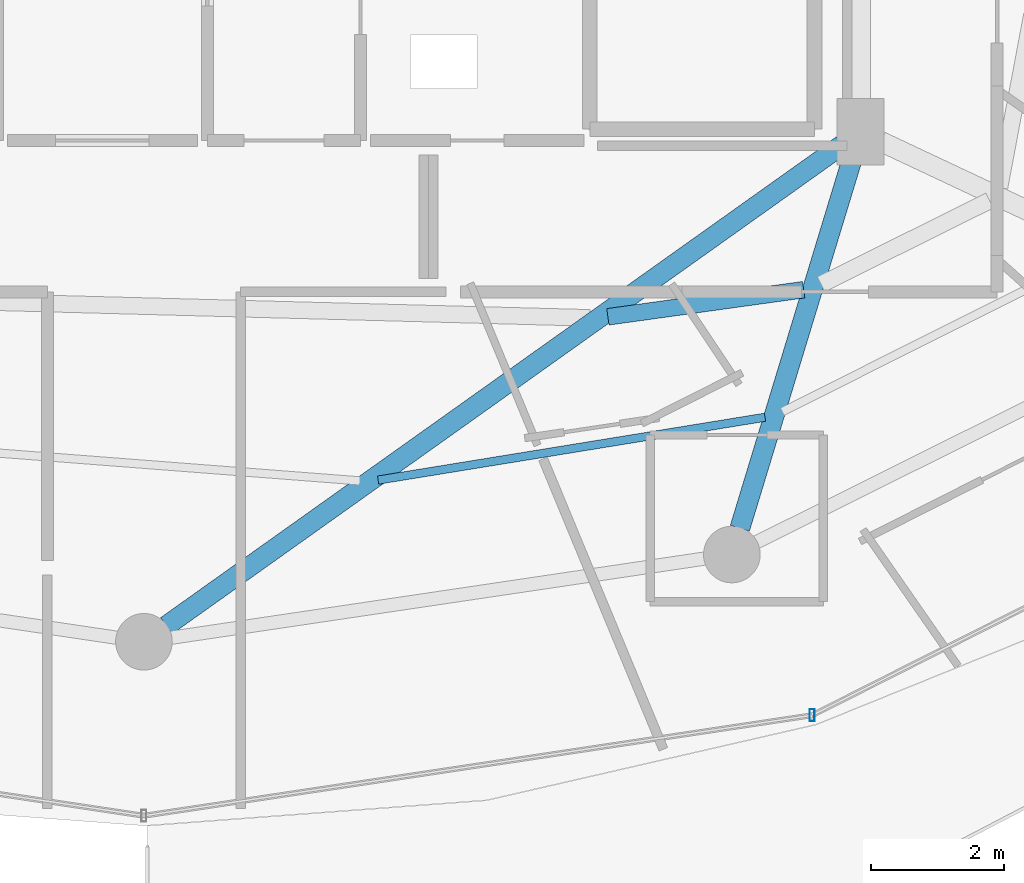
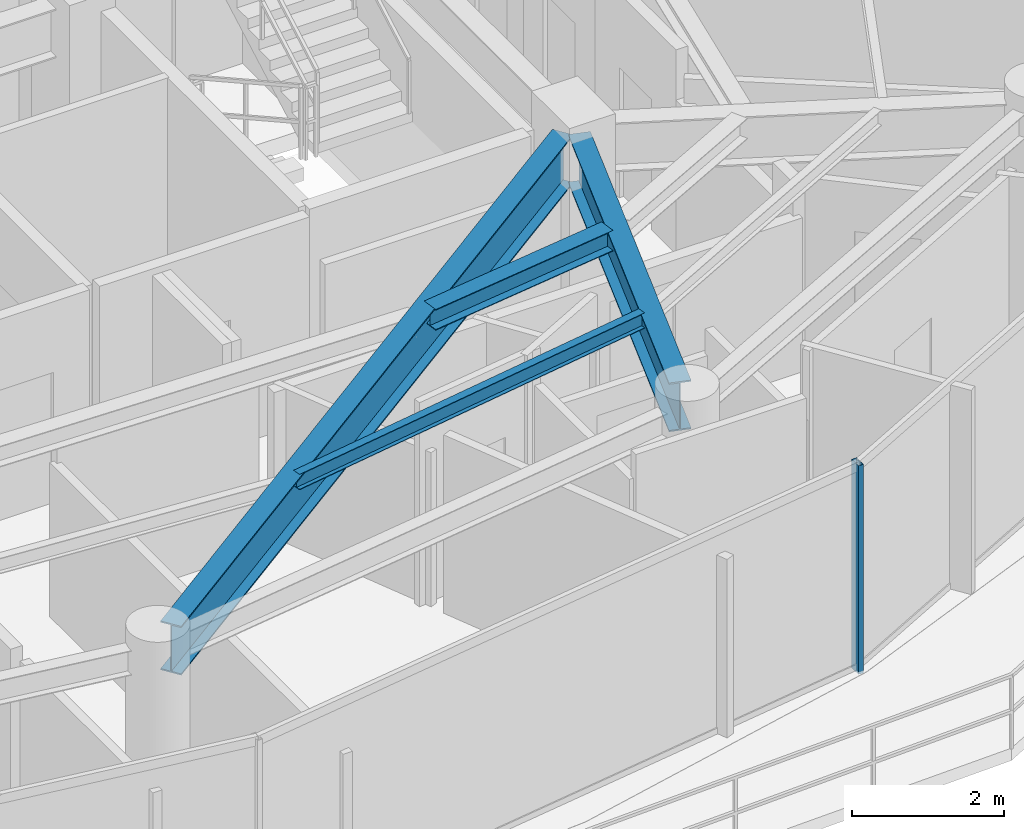
# One storey, part 10 of 29: 4 beams, 1 member, 1 element without a shape of its own.
"""IFC4 building model written with IfcOpenShell, lengths in metres."""

import ifcopenshell
import ifcopenshell.guid

model = None  # the IFC model being written
_history = None  # IfcOwnerHistory: only IFC2X3 demands one
_inside = {}  # id of a spatial element -> (the spatial element, [elements in it])
_under = {}  # id of a project, library or spatial element -> (it, [spatial elements below it])
_declared = {}  # id of a project -> (the project, [libraries it declares])
_typed = {}  # id of a type object -> (the type object, [elements of that type])
_made_of = {}  # id of a material, layer set ... -> (it, [elements and type objects made of it])


def new_model(schema):
    """Start an empty IFC model of exactly this schema.

    Asked for "IFC4X3", IfcOpenShell would pick the latest addendum, in which some entities
    have other attributes; the version numbers below select the first issue.
    IFC2X3 requires an IfcOwnerHistory on every rooted entity: one is made here for all.
    """
    global model, _history
    if schema == "IFC4X3":
        model = ifcopenshell.file(schema_version=(4, 3, 0, 0))
    else:
        model = ifcopenshell.file(schema=schema)
    _inside.clear()
    _under.clear()
    _declared.clear()
    _typed.clear()
    _made_of.clear()
    _history = None
    if model.schema == "IFC2X3":
        org = make("IfcOrganization", Name="unknown")
        user = make(
            "IfcPersonAndOrganization",
            ThePerson=make("IfcPerson", FamilyName="unknown"),
            TheOrganization=org,
        )
        app = make(
            "IfcApplication",
            ApplicationDeveloper=org,
            Version="unknown",
            ApplicationFullName="unknown",
            ApplicationIdentifier="unknown",
        )
        _history = make(
            "IfcOwnerHistory",
            OwningUser=user,
            OwningApplication=app,
            ChangeAction="ADDED",
            CreationDate=0,
        )
    return model


def make(cls, **values):
    """One entity of the class cls with the attributes given. An attribute that is None is left unset."""
    return model.create_entity(
        cls, **{name: value for name, value in values.items() if value is not None}
    )


def rooted(cls, **values):
    """An entity with a GlobalId (a new one), such as an element, a storey or a relation."""
    return make(cls, GlobalId=ifcopenshell.guid.new(), OwnerHistory=_history, **values)


def si_unit(unit_type, name, prefix=None):
    """IfcSIUnit, for example si_unit("LENGTHUNIT", "METRE", prefix="MILLI")."""
    return make("IfcSIUnit", UnitType=unit_type, Prefix=prefix, Name=name)


def assignment(units):
    """IfcUnitAssignment: the units of a project."""
    return None if units is None else make("IfcUnitAssignment", Units=units)


def point(xyz):
    """IfcCartesianPoint."""
    return None if xyz is None else make("IfcCartesianPoint", Coordinates=xyz)


def direction(xyz):
    """IfcDirection."""
    return None if xyz is None else make("IfcDirection", DirectionRatios=xyz)


def frame(location, z_axis=None, x_axis=None):
    """IfcAxis2Placement3D, a coordinate frame: its origin and axes. An axis left out is left unset."""
    return make(
        "IfcAxis2Placement3D",
        Location=point(location),
        Axis=direction(z_axis),
        RefDirection=direction(x_axis),
    )


def frame_2d(location, x_axis=None):
    """IfcAxis2Placement2D, a coordinate frame in the plane: its origin and x axis."""
    return make(
        "IfcAxis2Placement2D", Location=point(location), RefDirection=direction(x_axis)
    )


def origin():
    """The frame at (0, 0, 0) with its axes left unset."""
    return frame((0.0, 0.0, 0.0))


def origin_2d():
    """The frame at (0, 0) in the plane with its x axis left unset."""
    return frame_2d((0.0, 0.0))


def place(relative_to, where):
    """IfcLocalPlacement: puts the frame where relative to a parent placement (None: the world)."""
    return make(
        "IfcLocalPlacement", PlacementRelTo=relative_to, RelativePlacement=where
    )


def context(
    kind, dimensions, precision=None, world=None, true_north=None, identifier=None
):
    """IfcGeometricRepresentationContext, for example the 3D "Model" context."""
    return make(
        "IfcGeometricRepresentationContext",
        ContextIdentifier=identifier,
        ContextType=kind,
        CoordinateSpaceDimension=dimensions,
        Precision=precision,
        WorldCoordinateSystem=world,
        TrueNorth=true_north,
    )


def subcontext(parent, identifier, kind, view, scale=None):
    """IfcGeometricRepresentationSubContext, for example "Body" below "Model"."""
    return make(
        "IfcGeometricRepresentationSubContext",
        ContextIdentifier=identifier,
        ContextType=kind,
        ParentContext=parent,
        TargetScale=scale,
        TargetView=view,
    )


def project(units=None, contexts=None):
    """IfcProject with its units and contexts."""
    return rooted(
        "IfcProject",
        Name="project",
        RepresentationContexts=contexts,
        UnitsInContext=assignment(units),
    )


def spatial(cls, under=None, at=None, **own):
    """A site, building, storey or space (cls), placed at a placement, below another one or the project."""
    s = rooted(cls, ObjectPlacement=at, **own)
    if under is not None:
        _under.setdefault(under.id(), (under, []))[1].append(s)
    return s


def profile(cls, at=None, kind="AREA", **sizes):
    """A parametric profile (cls). Its sizes go by their IFC names, for example OverallWidth=200.0."""
    return make(cls, ProfileType=kind, Position=at, **sizes)


def hollow_rectangle(**sizes):
    """IfcRectangleHollowProfileDef."""
    return profile("IfcRectangleHollowProfileDef", **sizes)


def i_section(**sizes):
    """IfcIShapeProfileDef."""
    return profile("IfcIShapeProfileDef", **sizes)


def extrude(swept, where, along, depth):
    """IfcExtrudedAreaSolid: the profile swept, set in the frame where, extruded along a direction by depth."""
    return make(
        "IfcExtrudedAreaSolid",
        SweptArea=swept,
        Position=where,
        ExtrudedDirection=direction(along),
        Depth=depth,
    )


def shape(context_of_items, identifier, shape_type, items):
    """IfcShapeRepresentation: the items that make up one representation, for example the "Body"."""
    return make(
        "IfcShapeRepresentation",
        ContextOfItems=context_of_items,
        RepresentationIdentifier=identifier,
        RepresentationType=shape_type,
        Items=items,
    )


def material(Name=None, Category=None):
    """IfcMaterial."""
    return make("IfcMaterial", Name=Name, Category=Category)


def material_profile(
    of_material, cross_section, Name=None, Category=None, Priority=None
):
    """IfcMaterialProfile: a cross section and its material."""
    return make(
        "IfcMaterialProfile",
        Name=Name,
        Material=of_material,
        Profile=cross_section,
        Priority=Priority,
        Category=Category,
    )


def profile_set(profiles, Name=None, composite=None):
    """IfcMaterialProfileSet."""
    return make(
        "IfcMaterialProfileSet",
        Name=Name,
        MaterialProfiles=profiles,
        CompositeProfile=composite,
    )


def made_of(thing, what):
    """Note that an element or type object is made of a material, layer set ...; save() writes the relation."""
    if what is not None:
        _made_of.setdefault(what.id(), (what, []))[1].append(thing)
    return thing


def type_object(cls, material=None, **own):
    """A type object (cls), such as IfcWallType, which elements share."""
    return made_of(rooted(cls, **own), material)


def element(
    cls,
    number,
    at=None,
    inside=None,
    cuts=None,
    type_object=None,
    material=None,
    context=None,
    identifier="Body",
    shape_type=None,
    held_by="IfcProductDefinitionShape",
    body=None,
    shapes=None,
    **own,
):
    """One element of the class cls, such as IfcWall. Its Tag is "e" and its number.

    at: its placement. inside: the storey or other place that contains it. cuts: it is an
    opening in that element (IfcRelVoidsElement). A single representation is given by context,
    identifier, shape_type and body (its items); several are given by shapes. held_by: the class
    of the entity that holds the representations. save() writes the other relations.
    """
    e = rooted(cls, Tag="e%d" % number, ObjectPlacement=at, **own)
    if body is not None:
        shapes = [shape(context, identifier, shape_type, body)]
    if shapes is not None:
        e.Representation = make(held_by, Representations=shapes)
    if inside is not None:
        _inside.setdefault(inside.id(), (inside, []))[1].append(e)
    if cuts is not None:
        rooted(
            "IfcRelVoidsElement", RelatingBuildingElement=cuts, RelatedOpeningElement=e
        )
    if type_object is not None:
        _typed.setdefault(type_object.id(), (type_object, []))[1].append(e)
    return made_of(e, material)


def aggregate(whole, parts):
    """IfcRelAggregates: a whole, such as a stair, and the parts it consists of."""
    return rooted("IfcRelAggregates", RelatingObject=whole, RelatedObjects=parts)


def save(model, path):
    """Write the relations noted so far, then the file.

    IfcRelAggregates (storeys below a building ...), IfcRelContainedInSpatialStructure (elements
    in a storey), IfcRelDefinesByType, IfcRelAssociatesMaterial and IfcRelDeclares: one each for
    every whole, place, type object, material and project.
    """
    for whole, parts in _under.values():
        aggregate(whole, parts)
    for where, things in _inside.values():
        rooted(
            "IfcRelContainedInSpatialStructure",
            RelatedElements=things,
            RelatingStructure=where,
        )
    for kind, things in _typed.values():
        rooted("IfcRelDefinesByType", RelatedObjects=things, RelatingType=kind)
    for what, things in _made_of.values():
        rooted("IfcRelAssociatesMaterial", RelatedObjects=things, RelatingMaterial=what)
    for by, libraries in _declared.values():
        rooted("IfcRelDeclares", RelatingContext=by, RelatedDefinitions=libraries)
    model.write(path)


model = new_model("IFC4")

# Units and contexts
model_context = context("Model", 3, precision=1e-05, world=origin(), true_north=direction((0.0, 1.0)))
body_context = subcontext(model_context, "Body", "Model", "MODEL_VIEW")
ifc_project = project(units=[si_unit("LENGTHUNIT", "METRE"), si_unit("AREAUNIT", "SQUARE_METRE"), si_unit("VOLUMEUNIT", "CUBIC_METRE"), si_unit("PLANEANGLEUNIT", "RADIAN"), si_unit("MASSUNIT", "GRAM", prefix="KILO")], contexts=[model_context])

# Site, building, storey
site_placement = place(None, origin())
site = spatial("IfcSite", under=ifc_project, at=site_placement, CompositionType="ELEMENT")
building_placement = place(site_placement, origin())
building = spatial("IfcBuilding", under=site, at=building_placement, Name="Vorneva Point Tower", CompositionType="ELEMENT")
storey_placement = place(building_placement, frame((0.0, 0.0, 255.550048828125)))
storey = spatial("IfcBuildingStorey", under=building, at=storey_placement, Name="L69", CompositionType="ELEMENT", Elevation=255.550048828125)

# Beams
ifc_material_1 = material(Name="Steel S355", Category="steel")
ifc_material_profile_1 = material_profile(ifc_material_1, i_section(OverallWidth=0.300048828125, OverallDepth=0.7880859375, WebThickness=0.014404296875, FlangeThickness=0.02197265625, at=origin_2d()), Name="80Sh1")
ifc_profile_set_1 = profile_set([ifc_material_profile_1], Name="Steel S355")
beam_type_1 = type_object("IfcBeamType", Name="BM-GRD-80Sh1", PredefinedType="USERDEFINED", material=ifc_profile_set_1)
beam_1_placement = place(storey_placement, frame((38.33642578125, 9.03955078125, 2.89599609375), z_axis=(0.814757147543, 0.579802371958, 0.0), x_axis=(-0.579802371958, 0.814757147543, 0.0)))
element("IfcBeam", 1, at=beam_1_placement, inside=storey, type_object=beam_type_1, Name="L69 Radial Primary Girder 13", ObjectType="GIRDER", PredefinedType="USERDEFINED", context=body_context, shape_type="SweptSolid", body=[
    extrude(i_section(OverallWidth=0.300048828125, OverallDepth=0.7880859375, WebThickness=0.014404296875, FlangeThickness=0.02197265625, at=origin_2d()), origin(), (0.0, 0.0, 1.0), 12.441162109375),
])
beam_2_placement = place(storey_placement, frame((46.941162109375, 10.50439453125, 2.89599609375), z_axis=(0.291032624293, 0.956713129207, 0.0), x_axis=(-0.956713129207, 0.291032624293, 0.0)))
element("IfcBeam", 2, at=beam_2_placement, inside=storey, type_object=beam_type_1, Name="L69 Radial Primary Girder 14", ObjectType="GIRDER", PredefinedType="USERDEFINED", context=body_context, shape_type="SweptSolid", body=[
    extrude(i_section(OverallWidth=0.300048828125, OverallDepth=0.7880859375, WebThickness=0.014404296875, FlangeThickness=0.02197265625, at=origin_2d()), origin(), (0.0, 0.0, 1.0), 5.874755859375),
])
ifc_material_profile_2 = material_profile(ifc_material_1, i_section(OverallWidth=0.1240234375, OverallDepth=0.248046875, WebThickness=0.0048828125, FlangeThickness=0.008056640625, at=origin_2d()), Name="25B1")
ifc_profile_set_2 = profile_set([ifc_material_profile_2], Name="Steel S355")
beam_type_2 = type_object("IfcBeamType", Name="BM-JST-25B1", PredefinedType="JOIST", material=ifc_profile_set_2)
beam_3_placement = place(storey_placement, frame((41.513671875, 11.2255859375, 3.166015625), z_axis=(0.987061114088, 0.160344494936, 0.0), x_axis=(-0.160344494936, 0.987061114088, 0.0)))
element("IfcBeam", 3, at=beam_3_placement, inside=storey, type_object=beam_type_2, Name="L69 Secondary Floor Beam 1.13", PredefinedType="JOIST", context=body_context, shape_type="SweptSolid", body=[
    extrude(i_section(OverallWidth=0.1240234375, OverallDepth=0.248046875, WebThickness=0.0048828125, FlangeThickness=0.008056640625, at=origin_2d()), origin(), (0.0, 0.0, 1.0), 5.88037109375),
])
ifc_material_profile_3 = material_profile(ifc_material_1, i_section(OverallWidth=0.2490234375, OverallDepth=0.333984375, WebThickness=0.008056640625, FlangeThickness=0.010986328125, at=origin_2d()), Name="35Sh1")
ifc_profile_set_3 = profile_set([ifc_material_profile_3], Name="Steel S355")
beam_type_3 = type_object("IfcBeamType", Name="BM-SEC-35Sh1", PredefinedType="BEAM", material=ifc_profile_set_3)
beam_4_placement = place(storey_placement, frame((44.960693359375, 13.675048828125, 3.123046875), z_axis=(0.990519047215, 0.137375460346, 0.0), x_axis=(-0.137375460346, 0.990519047215, 0.0)))
element("IfcBeam", 4, at=beam_4_placement, inside=storey, type_object=beam_type_3, Name="L69 Secondary Floor Beam 2.13", PredefinedType="BEAM", context=body_context, shape_type="SweptSolid", body=[
    extrude(i_section(OverallWidth=0.2490234375, OverallDepth=0.333984375, WebThickness=0.008056640625, FlangeThickness=0.010986328125, at=origin_2d()), origin(), (0.0, 0.0, 1.0), 2.966064453125),
])

# Curtain wall, member
ifc_material_2 = material(Name="Pale anodised aluminium", Category="aluminium")
curtain_wall_type = type_object("IfcCurtainWallType", Name="CW-RES-SYS", PredefinedType="NOTDEFINED", material=ifc_material_2)
curtain_wall_placement = place(storey_placement, origin())
curtain_wall = element("IfcCurtainWall", 5, at=curtain_wall_placement, inside=storey, type_object=curtain_wall_type, Name="L69 Unitised Curtain Wall CW-L69-R04", PredefinedType="NOTDEFINED")
ifc_material_profile_4 = material_profile(ifc_material_2, hollow_rectangle(XDim=0.074951171875, YDim=0.179931640625, WallThickness=0.00390625, at=origin_2d()), Name="AL-MUL 180x75x4")
ifc_profile_set_4 = profile_set([ifc_material_profile_4], Name="Pale anodised aluminium")
member_type = type_object("IfcMemberType", Name="CW-MUL-180", PredefinedType="MULLION", material=ifc_profile_set_4)
member_placement = place(storey_placement, frame((48.0263671875, 7.697998046875, -0.0400390625), z_axis=(0.0, 0.0, 1.0), x_axis=(1.0, 0.0, 0.0)))
member = element("IfcMember", 6, at=member_placement, type_object=member_type, Name="CW-L69-R04 Mullion 04", PredefinedType="MULLION", context=body_context, shape_type="SweptSolid", body=[
    extrude(hollow_rectangle(XDim=0.074951171875, YDim=0.179931640625, WallThickness=0.00390625, at=origin_2d()), origin(), (0.0, 0.0, 1.0), 3.360107421875),
])
aggregate(curtain_wall, [member])

save(model, "model.ifc")
